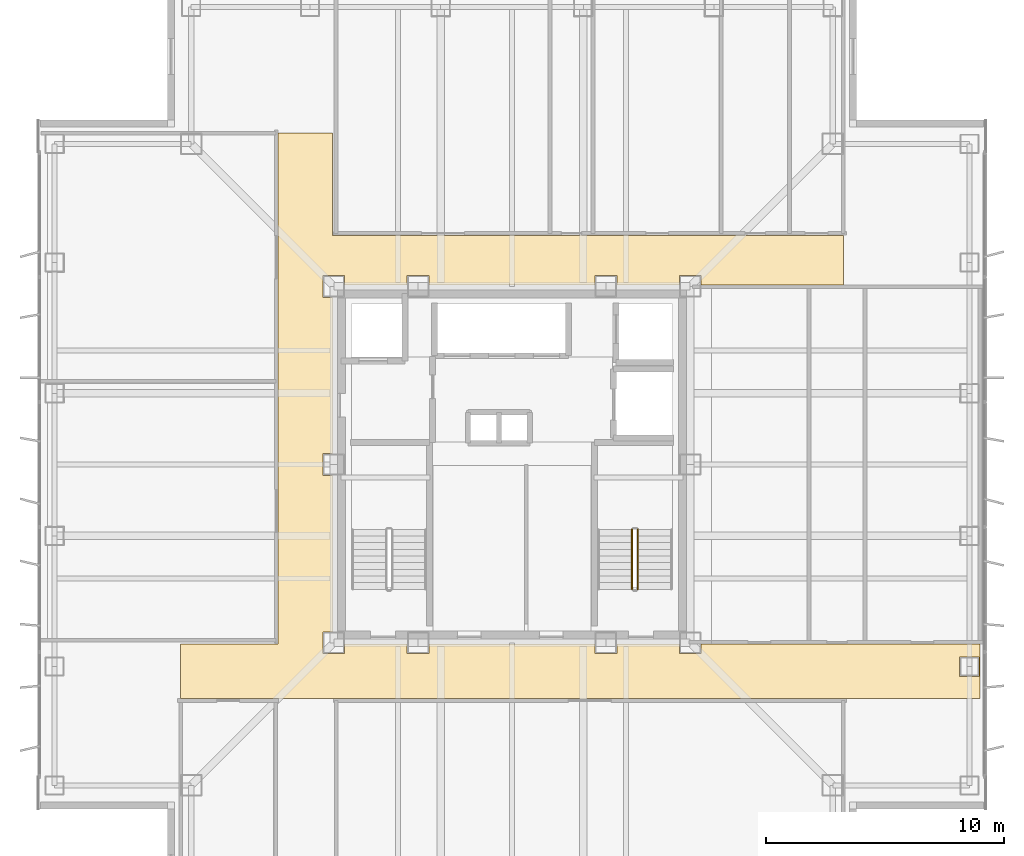
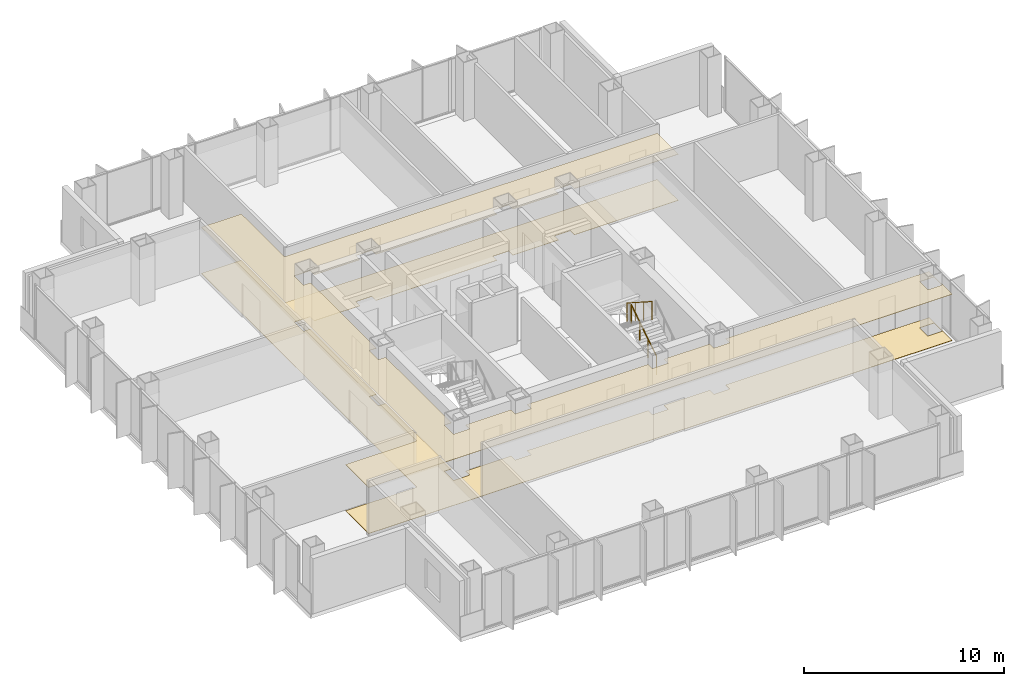
# One storey, part 15 of 17: 2 coverings, 2 railings.
"""IFC4 building model written with IfcOpenShell, lengths in metres."""

import ifcopenshell
import ifcopenshell.guid

model = None  # the IFC model being written
_history = None  # IfcOwnerHistory: only IFC2X3 demands one
_inside = {}  # id of a spatial element -> (the spatial element, [elements in it])
_under = {}  # id of a project, library or spatial element -> (it, [spatial elements below it])
_declared = {}  # id of a project -> (the project, [libraries it declares])
_typed = {}  # id of a type object -> (the type object, [elements of that type])
_made_of = {}  # id of a material, layer set ... -> (it, [elements and type objects made of it])


def new_model(schema):
    """Start an empty IFC model of exactly this schema.

    Asked for "IFC4X3", IfcOpenShell would pick the latest addendum, in which some entities
    have other attributes; the version numbers below select the first issue.
    IFC2X3 requires an IfcOwnerHistory on every rooted entity: one is made here for all.
    """
    global model, _history
    if schema == "IFC4X3":
        model = ifcopenshell.file(schema_version=(4, 3, 0, 0))
    else:
        model = ifcopenshell.file(schema=schema)
    _inside.clear()
    _under.clear()
    _declared.clear()
    _typed.clear()
    _made_of.clear()
    _history = None
    if model.schema == "IFC2X3":
        org = make("IfcOrganization", Name="unknown")
        user = make(
            "IfcPersonAndOrganization",
            ThePerson=make("IfcPerson", FamilyName="unknown"),
            TheOrganization=org,
        )
        app = make(
            "IfcApplication",
            ApplicationDeveloper=org,
            Version="unknown",
            ApplicationFullName="unknown",
            ApplicationIdentifier="unknown",
        )
        _history = make(
            "IfcOwnerHistory",
            OwningUser=user,
            OwningApplication=app,
            ChangeAction="ADDED",
            CreationDate=0,
        )
    return model


def make(cls, **values):
    """One entity of the class cls with the attributes given. An attribute that is None is left unset."""
    return model.create_entity(
        cls, **{name: value for name, value in values.items() if value is not None}
    )


def rooted(cls, **values):
    """An entity with a GlobalId (a new one), such as an element, a storey or a relation."""
    return make(cls, GlobalId=ifcopenshell.guid.new(), OwnerHistory=_history, **values)


def si_unit(unit_type, name, prefix=None):
    """IfcSIUnit, for example si_unit("LENGTHUNIT", "METRE", prefix="MILLI")."""
    return make("IfcSIUnit", UnitType=unit_type, Prefix=prefix, Name=name)


def assignment(units):
    """IfcUnitAssignment: the units of a project."""
    return None if units is None else make("IfcUnitAssignment", Units=units)


def point(xyz):
    """IfcCartesianPoint."""
    return None if xyz is None else make("IfcCartesianPoint", Coordinates=xyz)


def direction(xyz):
    """IfcDirection."""
    return None if xyz is None else make("IfcDirection", DirectionRatios=xyz)


def frame(location, z_axis=None, x_axis=None):
    """IfcAxis2Placement3D, a coordinate frame: its origin and axes. An axis left out is left unset."""
    return make(
        "IfcAxis2Placement3D",
        Location=point(location),
        Axis=direction(z_axis),
        RefDirection=direction(x_axis),
    )


def frame_2d(location, x_axis=None):
    """IfcAxis2Placement2D, a coordinate frame in the plane: its origin and x axis."""
    return make(
        "IfcAxis2Placement2D", Location=point(location), RefDirection=direction(x_axis)
    )


def origin():
    """The frame at (0, 0, 0) with its axes left unset."""
    return frame((0.0, 0.0, 0.0))


def origin_2d():
    """The frame at (0, 0) in the plane with its x axis left unset."""
    return frame_2d((0.0, 0.0))


def place(relative_to, where):
    """IfcLocalPlacement: puts the frame where relative to a parent placement (None: the world)."""
    return make(
        "IfcLocalPlacement", PlacementRelTo=relative_to, RelativePlacement=where
    )


def context(
    kind, dimensions, precision=None, world=None, true_north=None, identifier=None
):
    """IfcGeometricRepresentationContext, for example the 3D "Model" context."""
    return make(
        "IfcGeometricRepresentationContext",
        ContextIdentifier=identifier,
        ContextType=kind,
        CoordinateSpaceDimension=dimensions,
        Precision=precision,
        WorldCoordinateSystem=world,
        TrueNorth=true_north,
    )


def subcontext(parent, identifier, kind, view, scale=None):
    """IfcGeometricRepresentationSubContext, for example "Body" below "Model"."""
    return make(
        "IfcGeometricRepresentationSubContext",
        ContextIdentifier=identifier,
        ContextType=kind,
        ParentContext=parent,
        TargetScale=scale,
        TargetView=view,
    )


def project(units=None, contexts=None):
    """IfcProject with its units and contexts."""
    return rooted(
        "IfcProject",
        Name="project",
        RepresentationContexts=contexts,
        UnitsInContext=assignment(units),
    )


def spatial(cls, under=None, at=None, **own):
    """A site, building, storey or space (cls), placed at a placement, below another one or the project."""
    s = rooted(cls, ObjectPlacement=at, **own)
    if under is not None:
        _under.setdefault(under.id(), (under, []))[1].append(s)
    return s


def polyline(points):
    """IfcPolyline through the points."""
    return make("IfcPolyline", Points=[point(p) for p in points])


def profile(cls, at=None, kind="AREA", **sizes):
    """A parametric profile (cls). Its sizes go by their IFC names, for example OverallWidth=200.0."""
    return make(cls, ProfileType=kind, Position=at, **sizes)


def circle(**sizes):
    """IfcCircleProfileDef."""
    return profile("IfcCircleProfileDef", **sizes)


def outline(outer, holes=None, kind="AREA"):
    """IfcArbitraryClosedProfileDef: a profile drawn as a closed curve; with holes, ...WithVoids."""
    if holes is None:
        return make("IfcArbitraryClosedProfileDef", ProfileType=kind, OuterCurve=outer)
    return make(
        "IfcArbitraryProfileDefWithVoids",
        ProfileType=kind,
        OuterCurve=outer,
        InnerCurves=holes,
    )


def extrude(swept, where, along, depth):
    """IfcExtrudedAreaSolid: the profile swept, set in the frame where, extruded along a direction by depth."""
    return make(
        "IfcExtrudedAreaSolid",
        SweptArea=swept,
        Position=where,
        ExtrudedDirection=direction(along),
        Depth=depth,
    )


def shape(context_of_items, identifier, shape_type, items):
    """IfcShapeRepresentation: the items that make up one representation, for example the "Body"."""
    return make(
        "IfcShapeRepresentation",
        ContextOfItems=context_of_items,
        RepresentationIdentifier=identifier,
        RepresentationType=shape_type,
        Items=items,
    )


def material(Name=None, Category=None):
    """IfcMaterial."""
    return make("IfcMaterial", Name=Name, Category=Category)


def layer(
    of_material, thickness, ventilated=None, Name=None, Category=None, Priority=None
):
    """IfcMaterialLayer: one layer of a wall or slab, of a material (None: an air gap)."""
    return make(
        "IfcMaterialLayer",
        Material=of_material,
        LayerThickness=thickness,
        IsVentilated=ventilated,
        Name=Name,
        Category=Category,
        Priority=Priority,
    )


def layer_set(layers, Name=None):
    """IfcMaterialLayerSet."""
    return make("IfcMaterialLayerSet", MaterialLayers=layers, LayerSetName=Name)


def made_of(thing, what):
    """Note that an element or type object is made of a material, layer set ...; save() writes the relation."""
    if what is not None:
        _made_of.setdefault(what.id(), (what, []))[1].append(thing)
    return thing


def type_object(cls, material=None, **own):
    """A type object (cls), such as IfcWallType, which elements share."""
    return made_of(rooted(cls, **own), material)


def element(
    cls,
    number,
    at=None,
    inside=None,
    cuts=None,
    type_object=None,
    material=None,
    context=None,
    identifier="Body",
    shape_type=None,
    held_by="IfcProductDefinitionShape",
    body=None,
    shapes=None,
    **own,
):
    """One element of the class cls, such as IfcWall. Its Tag is "e" and its number.

    at: its placement. inside: the storey or other place that contains it. cuts: it is an
    opening in that element (IfcRelVoidsElement). A single representation is given by context,
    identifier, shape_type and body (its items); several are given by shapes. held_by: the class
    of the entity that holds the representations. save() writes the other relations.
    """
    e = rooted(cls, Tag="e%d" % number, ObjectPlacement=at, **own)
    if body is not None:
        shapes = [shape(context, identifier, shape_type, body)]
    if shapes is not None:
        e.Representation = make(held_by, Representations=shapes)
    if inside is not None:
        _inside.setdefault(inside.id(), (inside, []))[1].append(e)
    if cuts is not None:
        rooted(
            "IfcRelVoidsElement", RelatingBuildingElement=cuts, RelatedOpeningElement=e
        )
    if type_object is not None:
        _typed.setdefault(type_object.id(), (type_object, []))[1].append(e)
    return made_of(e, material)


def aggregate(whole, parts):
    """IfcRelAggregates: a whole, such as a stair, and the parts it consists of."""
    return rooted("IfcRelAggregates", RelatingObject=whole, RelatedObjects=parts)


def save(model, path):
    """Write the relations noted so far, then the file.

    IfcRelAggregates (storeys below a building ...), IfcRelContainedInSpatialStructure (elements
    in a storey), IfcRelDefinesByType, IfcRelAssociatesMaterial and IfcRelDeclares: one each for
    every whole, place, type object, material and project.
    """
    for whole, parts in _under.values():
        aggregate(whole, parts)
    for where, things in _inside.values():
        rooted(
            "IfcRelContainedInSpatialStructure",
            RelatedElements=things,
            RelatingStructure=where,
        )
    for kind, things in _typed.values():
        rooted("IfcRelDefinesByType", RelatedObjects=things, RelatingType=kind)
    for what, things in _made_of.values():
        rooted("IfcRelAssociatesMaterial", RelatedObjects=things, RelatingMaterial=what)
    for by, libraries in _declared.values():
        rooted("IfcRelDeclares", RelatingContext=by, RelatedDefinitions=libraries)
    model.write(path)


model = new_model("IFC4")

# Units and contexts
model_context = context("Model", 3, precision=1e-05, world=origin(), true_north=direction((0.0, 1.0)))
body_context = subcontext(model_context, "Body", "Model", "MODEL_VIEW")
ifc_project = project(units=[si_unit("LENGTHUNIT", "METRE"), si_unit("AREAUNIT", "SQUARE_METRE"), si_unit("VOLUMEUNIT", "CUBIC_METRE"), si_unit("PLANEANGLEUNIT", "RADIAN"), si_unit("MASSUNIT", "GRAM", prefix="KILO")], contexts=[model_context])

# Site, building, storey
site_placement = place(None, origin())
site = spatial("IfcSite", under=ifc_project, at=site_placement, CompositionType="ELEMENT")
building_placement = place(site_placement, origin())
building = spatial("IfcBuilding", under=site, at=building_placement, Name="Trevonay Congress Spire", CompositionType="ELEMENT")
storey_placement = place(building_placement, frame((0.0, 0.0, 184.199951171875)))
storey = spatial("IfcBuildingStorey", under=building, at=storey_placement, Name="L47", CompositionType="ELEMENT", Elevation=184.199951171875)

# Coverings
ifc_material_1 = material(Name="Acoustic Mineral Fibre Board", Category="gypsum")
ifc_layer_1 = layer(ifc_material_1, 0.02490234375, Name="Acoustic Mineral Fibre Board")
ifc_layer_set_1 = layer_set([ifc_layer_1], Name="Acoustic Mineral Fibre Board")
covering_type_1 = type_object("IfcCoveringType", Name="COV-CEIL-ACOUSTIC", PredefinedType="CEILING", material=ifc_layer_set_1)
covering_1_placement = place(storey_placement, frame((0.0, 0.0, 2.81005859375)))
element("IfcCovering", 1, at=covering_1_placement, inside=storey, type_object=covering_type_1, Name="L47 Cruciform Boulevard Corridor acoustic suspended ceiling", PredefinedType="CEILING", context=body_context, shape_type="SweptSolid", body=[
    extrude(outline(polyline([(19.699951171875, -7.550048828125), (19.699951171875, -9.85009765625), (-13.949951171875, -9.85009765625), (-13.949951171875, -7.550048828125), (-9.85009765625, -7.550048828125), (-9.85009765625, 13.949951171875), (-7.550048828125, 13.949951171875), (-7.550048828125, 9.64990234375), (13.949951171875, 9.64990234375), (13.949951171875, 7.550048828125), (7.9599609375, 7.550048828125), (7.9599609375, 7.9599609375), (7.0400390625, 7.9599609375), (7.0400390625, 7.550048828125), (4.409912109375, 7.550048828125), (4.409912109375, 7.9599609375), (3.489990234375, 7.9599609375), (3.489990234375, 7.550048828125), (-3.489990234375, 7.550048828125), (-3.489990234375, 7.9599609375), (-4.409912109375, 7.9599609375), (-4.409912109375, 7.550048828125), (-7.0400390625, 7.550048828125), (-7.0400390625, 7.9599609375), (-7.9599609375, 7.9599609375), (-7.9599609375, 7.0400390625), (-7.550048828125, 7.0400390625), (-7.550048828125, 0.4599609375), (-7.9599609375, 0.4599609375), (-7.9599609375, -0.4599609375), (-7.550048828125, -0.4599609375), (-7.550048828125, -7.0400390625), (-7.9599609375, -7.0400390625), (-7.9599609375, -7.9599609375), (-7.0400390625, -7.9599609375), (-7.0400390625, -7.550048828125), (-4.409912109375, -7.550048828125), (-4.409912109375, -7.9599609375), (-3.489990234375, -7.9599609375), (-3.489990234375, -7.550048828125), (3.489990234375, -7.550048828125), (3.489990234375, -7.9599609375), (4.409912109375, -7.9599609375), (4.409912109375, -7.550048828125), (7.0400390625, -7.550048828125), (7.0400390625, -7.9599609375), (7.9599609375, -7.9599609375), (7.9599609375, -7.550048828125), (19.699951171875, -7.550048828125)]), holes=[polyline([(19.659912109375, -8.090087890625), (18.840087890625, -8.090087890625), (18.840087890625, -8.909912109375), (19.659912109375, -8.909912109375), (19.659912109375, -8.090087890625)])]), origin(), (0.0, 0.0, 1.0), 0.02490234375),
])
ifc_material_2 = material(Name="Polished Granite Floor Tile", Category="masonry")
ifc_layer_2 = layer(ifc_material_2, 0.02001953125, Name="Polished Granite Floor Tile")
ifc_layer_set_2 = layer_set([ifc_layer_2], Name="Polished Granite Floor Tile")
covering_type_2 = type_object("IfcCoveringType", Name="COV-FLOOR-STONE", PredefinedType="FLOORING", material=ifc_layer_set_2)
covering_2_placement = place(storey_placement, origin())
element("IfcCovering", 2, at=covering_2_placement, inside=storey, type_object=covering_type_2, Name="L47 Cruciform Boulevard Corridor floor finish", PredefinedType="FLOORING", context=body_context, shape_type="SweptSolid", body=[
    extrude(outline(polyline([(19.699951171875, -7.550048828125), (19.699951171875, -9.85009765625), (-13.949951171875, -9.85009765625), (-13.949951171875, -7.550048828125), (-9.85009765625, -7.550048828125), (-9.85009765625, 13.949951171875), (-7.550048828125, 13.949951171875), (-7.550048828125, 9.64990234375), (13.949951171875, 9.64990234375), (13.949951171875, 7.550048828125), (7.9599609375, 7.550048828125), (7.9599609375, 7.9599609375), (7.0400390625, 7.9599609375), (7.0400390625, 7.550048828125), (4.409912109375, 7.550048828125), (4.409912109375, 7.9599609375), (3.489990234375, 7.9599609375), (3.489990234375, 7.550048828125), (-3.489990234375, 7.550048828125), (-3.489990234375, 7.9599609375), (-4.409912109375, 7.9599609375), (-4.409912109375, 7.550048828125), (-7.0400390625, 7.550048828125), (-7.0400390625, 7.9599609375), (-7.9599609375, 7.9599609375), (-7.9599609375, 7.0400390625), (-7.550048828125, 7.0400390625), (-7.550048828125, 0.4599609375), (-7.9599609375, 0.4599609375), (-7.9599609375, -0.4599609375), (-7.550048828125, -0.4599609375), (-7.550048828125, -7.0400390625), (-7.9599609375, -7.0400390625), (-7.9599609375, -7.9599609375), (-7.0400390625, -7.9599609375), (-7.0400390625, -7.550048828125), (-4.409912109375, -7.550048828125), (-4.409912109375, -7.9599609375), (-3.489990234375, -7.9599609375), (-3.489990234375, -7.550048828125), (3.489990234375, -7.550048828125), (3.489990234375, -7.9599609375), (4.409912109375, -7.9599609375), (4.409912109375, -7.550048828125), (7.0400390625, -7.550048828125), (7.0400390625, -7.9599609375), (7.9599609375, -7.9599609375), (7.9599609375, -7.550048828125), (19.699951171875, -7.550048828125)]), holes=[polyline([(19.659912109375, -8.090087890625), (18.840087890625, -8.090087890625), (18.840087890625, -8.909912109375), (19.659912109375, -8.909912109375), (19.659912109375, -8.090087890625)])]), origin(), (0.0, 0.0, 1.0), 0.02001953125),
])

# Railings
ifc_material_3 = material(Name="Pale Anodised Aluminium EN AW-6063-T6", Category="aluminium")
railing_type = type_object("IfcRailingType", Name="RAL-STAIR-GUARD-110", PredefinedType="GUARDRAIL", material=ifc_material_3)
railing_1_placement = place(storey_placement, frame((5.300048828125, -5.25, 0.179931640625)))
element("IfcRailing", 3, at=railing_1_placement, inside=storey, type_object=railing_type, Name="L47 ST-2 stair guard 1", PredefinedType="GUARDRAIL", context=body_context, shape_type="SweptSolid", body=[
    extrude(circle(Radius=0.02392578125, at=origin_2d()), frame((0.0, 0.0, 1.1259765625), z_axis=(0.0, 0.841162588446, 0.540782303519), x_axis=(-1.0, 0.0, 0.0)), (0.0, 0.0, 1.0), 2.995849609375),
    extrude(circle(Radius=0.02099609375, at=origin_2d()), origin(), (0.0, 0.0, 1.0), 1.101806640625),
    extrude(circle(Radius=0.02099609375, at=origin_2d()), frame((0.0, 0.840087890625, 0.5400390625)), (0.0, 0.0, 1.0), 1.101806640625),
    extrude(circle(Radius=0.02099609375, at=origin_2d()), frame((0.0, 1.679931640625, 1.080078125)), (0.0, 0.0, 1.0), 1.101806640625),
    extrude(circle(Radius=0.02099609375, at=origin_2d()), frame((0.0, 2.52001953125, 1.6201171875)), (0.0, 0.0, 1.0), 1.101806640625),
])
railing_2_placement = place(storey_placement, frame((5.050048828125, -2.72998046875, 1.97998046875)))
element("IfcRailing", 4, at=railing_2_placement, inside=storey, type_object=railing_type, Name="L47 ST-2 stair guard 3", PredefinedType="GUARDRAIL", context=body_context, shape_type="SweptSolid", body=[
    extrude(circle(Radius=0.02392578125, at=origin_2d()), frame((0.0, 0.0, 1.1259765625), z_axis=(0.0, -0.841162588446, 0.540782303519), x_axis=(1.0, 0.0, 0.0)), (0.0, 0.0, 1.0), 2.995849609375),
    extrude(circle(Radius=0.02099609375, at=origin_2d()), origin(), (0.0, 0.0, 1.0), 1.101806640625),
    extrude(circle(Radius=0.02099609375, at=origin_2d()), frame((0.0, -0.840087890625, 0.5400390625)), (0.0, 0.0, 1.0), 1.101806640625),
    extrude(circle(Radius=0.02099609375, at=origin_2d()), frame((0.0, -1.679931640625, 1.080078125)), (0.0, 0.0, 1.0), 1.101806640625),
    extrude(circle(Radius=0.02099609375, at=origin_2d()), frame((0.0, -2.52001953125, 1.6201171875)), (0.0, 0.0, 1.0), 1.101806640625),
])

save(model, "model.ifc")
